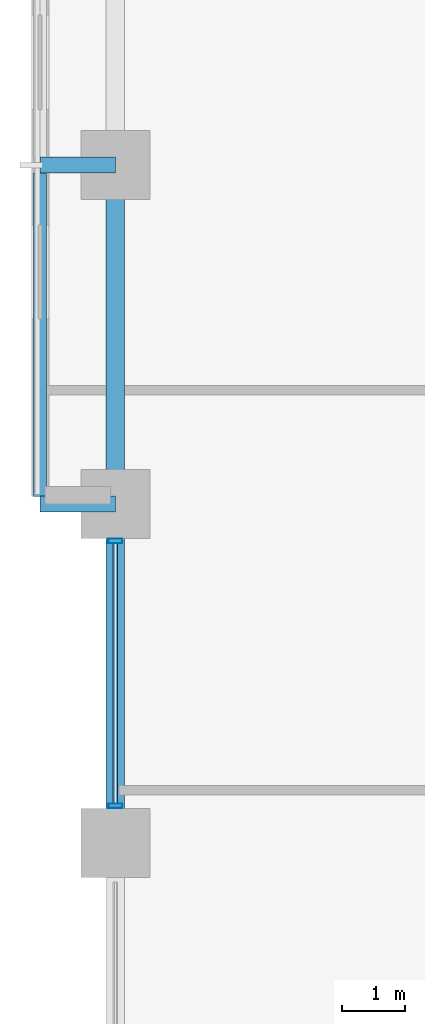
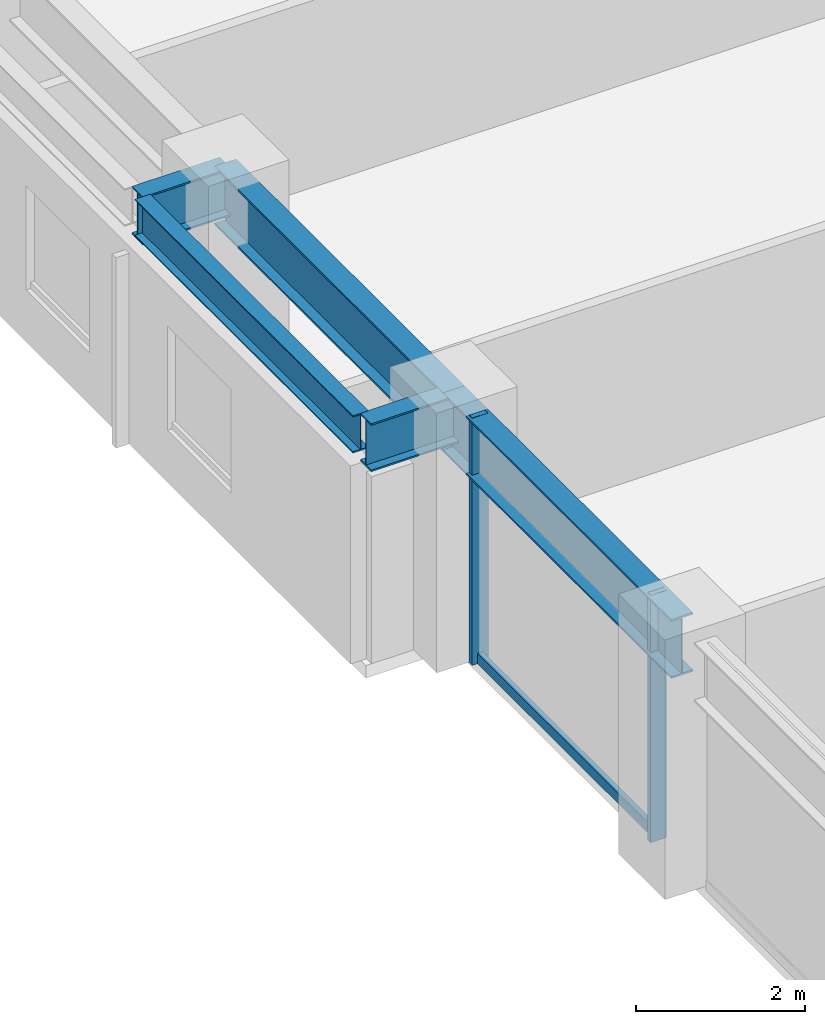
# One storey, part 6 of 26: 5 beams, 3 members, 1 element without a shape of its own.
"""IFC4 building model written with IfcOpenShell, lengths in metres."""

from ifc_helpers import new_model, si_unit, direction, frame, origin, origin_2d, place, context, subcontext, project, spatial, hollow_rectangle, i_section, extrude, material, layer, layer_set, material_profile, profile_set, type_object, element, aggregate, save


model = new_model("IFC4")

# Units and contexts
model_context = context("Model", 3, precision=1e-05, world=origin(), true_north=direction((0.0, 1.0)))
body_context = subcontext(model_context, "Body", "Model", "MODEL_VIEW")
ifc_project = project(units=[si_unit("LENGTHUNIT", "METRE"), si_unit("AREAUNIT", "SQUARE_METRE"), si_unit("VOLUMEUNIT", "CUBIC_METRE"), si_unit("PLANEANGLEUNIT", "RADIAN"), si_unit("MASSUNIT", "GRAM", prefix="KILO")], contexts=[model_context])

# Site, building, storey
site_placement = place(None, origin())
site = spatial("IfcSite", under=ifc_project, at=site_placement, CompositionType="ELEMENT")
building_placement = place(site_placement, origin())
building = spatial("IfcBuilding", under=site, at=building_placement, Name="Surkhivell Harbour Commons", CompositionType="ELEMENT")
storey_placement = place(building_placement, frame((0.0, 0.0, 102.0)))
storey = spatial("IfcBuildingStorey", under=building, at=storey_placement, Name="L26", CompositionType="ELEMENT", Elevation=102.0)

# Beams
ifc_material_1 = material(Name="Steel S460", Category="steel")
ifc_material_profile_1 = material_profile(ifc_material_1, i_section(OverallWidth=0.256103515625, OverallDepth=0.693115234375, WebThickness=0.014404296875, FlangeThickness=0.023681640625, at=origin_2d()), Name="UB686x254x170")
ifc_profile_set_1 = profile_set([ifc_material_profile_1], Name="Steel S460")
beam_type_1 = type_object("IfcBeamType", Name="BM-CNT-686", PredefinedType="BEAM", material=ifc_profile_set_1)
for number, where, z_axis, x_axis, name in (
    (1, (-32.39990234375, 0.0, 3.223388671875), (-1.0, 0.0, 0.0), (0.0, -1.0, 0.0), "L26 Box Cantilever Outrigger (-32.4,0.0)"),
    (2, (-32.39990234375, 5.39990234375, 3.223388671875), (-1.0, 0.0, 0.0), (0.0, -1.0, 0.0), "L26 Box Cantilever Outrigger (-32.4,5.4)"),
):
    element("IfcBeam", number, at=place(storey_placement, frame(where, z_axis=z_axis, x_axis=x_axis)), inside=storey, type_object=beam_type_1, Name=name, PredefinedType="BEAM", context=body_context, shape_type="SweptSolid", body=[
        extrude(i_section(OverallWidth=0.256103515625, OverallDepth=0.693115234375, WebThickness=0.014404296875, FlangeThickness=0.023681640625, at=origin_2d()), origin(), (0.0, 0.0, 1.0), 1.2001953125),
    ])
ifc_material_2 = material(Name="Steel S355", Category="steel")
ifc_material_profile_2 = material_profile(ifc_material_2, i_section(OverallWidth=0.2099609375, OverallDepth=0.537109375, WebThickness=0.0107421875, FlangeThickness=0.017333984375, at=origin_2d()), Name="UB533x210x101")
ifc_profile_set_2 = profile_set([ifc_material_profile_2], Name="Steel S355")
beam_type_2 = type_object("IfcBeamType", Name="BM-GRD-533B", PredefinedType="BEAM", material=ifc_profile_set_2)
beam_placement = place(storey_placement, frame((-33.60009765625, 0.1220703125, 3.301513671875), z_axis=(0.0, 1.0, 0.0), x_axis=(-1.0, 0.0, 0.0)))
element("IfcBeam", 3, at=beam_placement, inside=storey, type_object=beam_type_2, Name="L26 Box Rim Spandrel (-33.6,0.0)", PredefinedType="BEAM", context=body_context, shape_type="SweptSolid", body=[
    extrude(i_section(OverallWidth=0.2099609375, OverallDepth=0.537109375, WebThickness=0.0107421875, FlangeThickness=0.017333984375, at=origin_2d()), origin(), (0.0, 0.0, 1.0), 5.156005859375),
])
ifc_material_profile_3 = material_profile(ifc_material_1, i_section(OverallWidth=0.2939453125, OverallDepth=0.85107421875, WebThickness=0.01611328125, FlangeThickness=0.02685546875, at=origin_2d()), Name="UB838x292x226")
ifc_profile_set_3 = profile_set([ifc_material_profile_3], Name="Steel S460")
beam_type_3 = type_object("IfcBeamType", Name="BM-SPN-838", PredefinedType="SPANDREL", material=ifc_profile_set_3)
for number, where, z_axis, x_axis, name in (
    (4, (-32.39990234375, -5.39990234375, 3.14453125), (0.0, 1.0, 0.0), (-1.0, 0.0, 0.0), "L26 Tube Spandrel (-32.4,-5.4)"),
    (5, (-32.39990234375, 0.0, 3.14453125), (0.0, 1.0, 0.0), (-1.0, 0.0, 0.0), "L26 Tube Spandrel (-32.4,0.0)"),
):
    element("IfcBeam", number, at=place(storey_placement, frame(where, z_axis=z_axis, x_axis=x_axis)), inside=storey, type_object=beam_type_3, Name=name, PredefinedType="SPANDREL", context=body_context, shape_type="SweptSolid", body=[
        extrude(i_section(OverallWidth=0.2939453125, OverallDepth=0.85107421875, WebThickness=0.01611328125, FlangeThickness=0.02685546875, at=origin_2d()), origin(), (0.0, 0.0, 1.0), 5.39990234375),
    ])

# Curtain wall, members
ifc_material_3 = material(Name="Anodised pale-metal aluminium and insulated glazing", Category="aluminium")
ifc_layer = layer(ifc_material_3, 0.205078125)
ifc_layer_set = layer_set([ifc_layer], Name="Anodised pale-metal aluminium and insulated glazing")
curtain_wall_type = type_object("IfcCurtainWallType", Name="CW-SYS-Z2", PredefinedType="NOTDEFINED", material=ifc_layer_set)
curtain_wall_placement = place(storey_placement, origin())
curtain_wall = element("IfcCurtainWall", 6, at=curtain_wall_placement, inside=storey, type_object=curtain_wall_type, Name="L26 Curtain Wall CW-L26-E12R1S2", PredefinedType="NOTDEFINED")
ifc_material_4 = material(Name="Anodised pale-metal aluminium alloy 6063-T6", Category="aluminium")
ifc_material_profile_4 = material_profile(ifc_material_4, hollow_rectangle(XDim=0.074951171875, YDim=0.219970703125, WallThickness=0.00390625, at=origin_2d()), Name="ALU-MULL-75x220")
ifc_profile_set_4 = profile_set([ifc_material_profile_4], Name="Anodised pale-metal aluminium alloy 6063-T6")
member_type_1 = type_object("IfcMemberType", Name="CWM-220", PredefinedType="MULLION", material=ifc_profile_set_4)
member_1_placement = place(storey_placement, frame((-32.39990234375, -4.810546875, 0.0), z_axis=(0.0, 0.0, 1.0), x_axis=(0.0, 1.0, 0.0)))
member_1 = element("IfcMember", 7, at=member_1_placement, type_object=member_type_1, Name="CW-Z2 mullion 2", PredefinedType="MULLION", context=body_context, shape_type="SweptSolid", body=[
    extrude(hollow_rectangle(XDim=0.074951171875, YDim=0.219970703125, WallThickness=0.00390625, at=origin_2d()), origin(), (0.0, 0.0, 1.0), 3.570068359375),
])
member_2_placement = place(storey_placement, frame((-32.39990234375, -0.589599609375, 0.0), z_axis=(0.0, 0.0, 1.0), x_axis=(0.0, 1.0, 0.0)))
member_2 = element("IfcMember", 8, at=member_2_placement, type_object=member_type_1, Name="CW-Z2 mullion 3", PredefinedType="MULLION", context=body_context, shape_type="SweptSolid", body=[
    extrude(hollow_rectangle(XDim=0.074951171875, YDim=0.219970703125, WallThickness=0.00390625, at=origin_2d()), origin(), (0.0, 0.0, 1.0), 3.570068359375),
])
ifc_material_profile_5 = material_profile(ifc_material_4, hollow_rectangle(XDim=0.074951171875, YDim=0.14990234375, WallThickness=0.00341796875, at=origin_2d()), Name="ALU-TRAN-75x150")
ifc_profile_set_5 = profile_set([ifc_material_profile_5], Name="Anodised pale-metal aluminium alloy 6063-T6")
member_type_2 = type_object("IfcMemberType", Name="CWT-150", PredefinedType="USERDEFINED", material=ifc_profile_set_5)
member_3_placement = place(storey_placement, frame((-32.39990234375, -4.77294921875, 0.074951171875), z_axis=(0.0, 1.0, 0.0), x_axis=(-1.0, 0.0, 0.0)))
member_3 = element("IfcMember", 9, at=member_3_placement, type_object=member_type_2, Name="CW-Z2 transom 2.1", ObjectType="TRANSOM", PredefinedType="USERDEFINED", context=body_context, shape_type="SweptSolid", body=[
    extrude(hollow_rectangle(XDim=0.074951171875, YDim=0.14990234375, WallThickness=0.00341796875, at=origin_2d()), origin(), (0.0, 0.0, 1.0), 4.14599609375),
])
aggregate(curtain_wall, [member_1, member_2, member_3])

save(model, "model.ifc")
